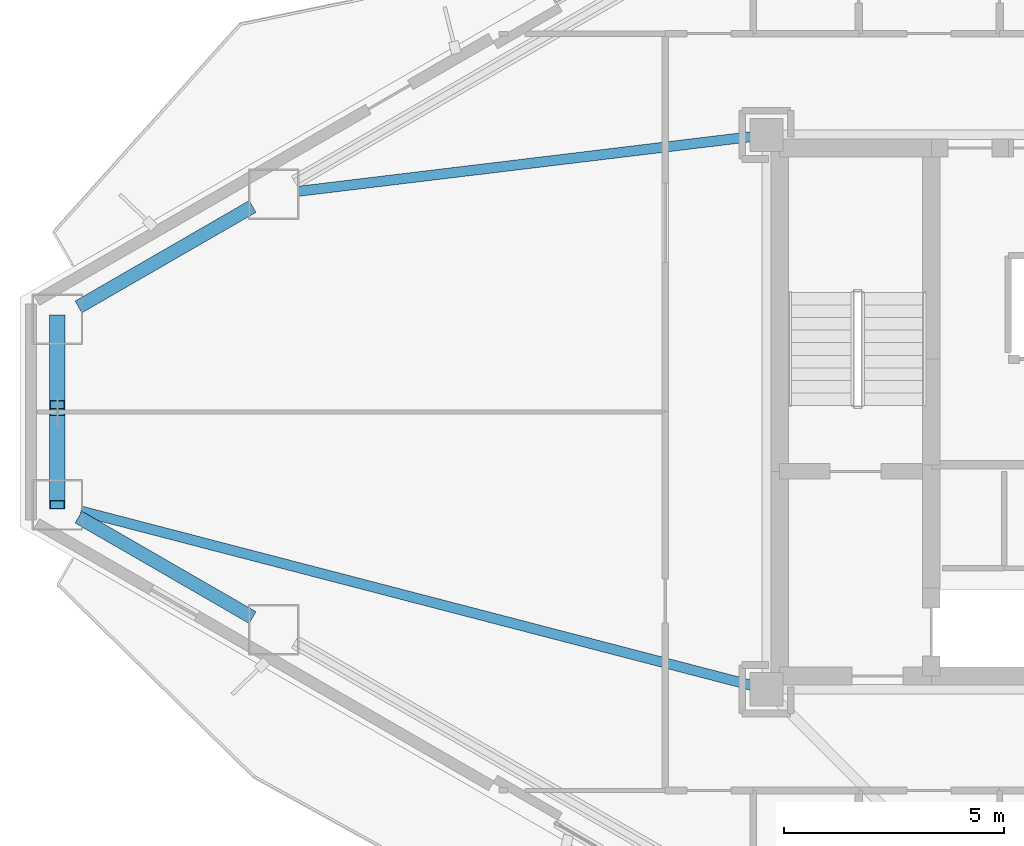
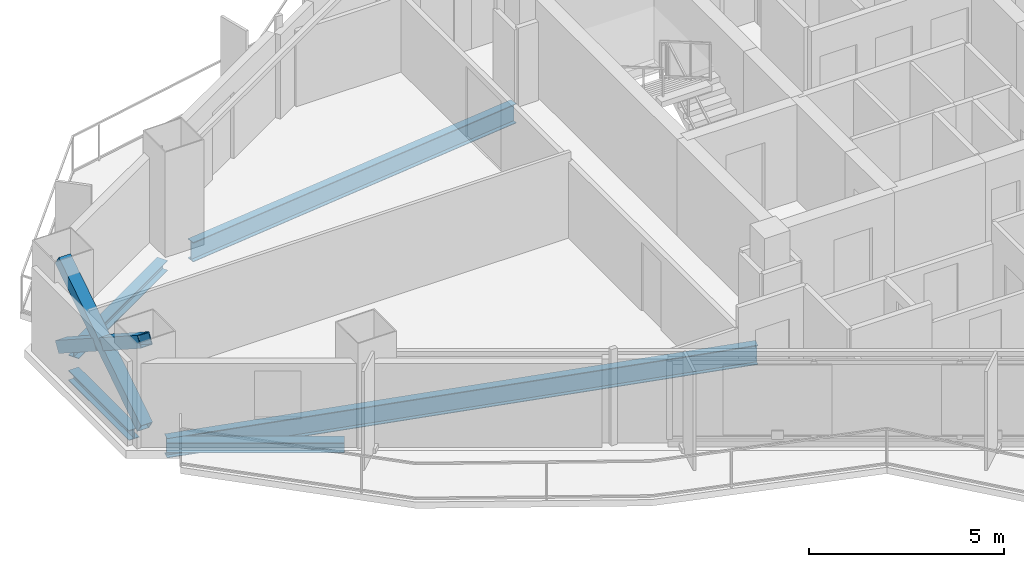
# One storey, part 5 of 22: 5 beams, 3 members.
"""IFC4 building model written with IfcOpenShell, lengths in metres."""

from ifc_helpers import new_model, si_unit, direction, frame, origin, origin_2d, place, context, subcontext, project, spatial, hollow_rectangle, i_section, extrude, material, material_profile, profile_set, type_object, element, save


model = new_model("IFC4")

# Units and contexts
model_context = context("Model", 3, precision=1e-05, world=origin(), true_north=direction((0.0, 1.0)))
body_context = subcontext(model_context, "Body", "Model", "MODEL_VIEW")
ifc_project = project(units=[si_unit("LENGTHUNIT", "METRE"), si_unit("AREAUNIT", "SQUARE_METRE"), si_unit("VOLUMEUNIT", "CUBIC_METRE"), si_unit("PLANEANGLEUNIT", "RADIAN"), si_unit("MASSUNIT", "GRAM", prefix="KILO")], contexts=[model_context])

# Site, building, storey
site_placement = place(None, origin())
site = spatial("IfcSite", under=ifc_project, at=site_placement, CompositionType="ELEMENT")
building_placement = place(site_placement, origin())
building = spatial("IfcBuilding", under=site, at=building_placement, Name="Mersakhor Tower and Convention Hall", CompositionType="ELEMENT")
storey_placement = place(building_placement, frame((0.0, 0.0, 113.10009765625)))
storey = spatial("IfcBuildingStorey", under=building, at=storey_placement, Name="L31", CompositionType="ELEMENT", Elevation=113.10009765625)

# Beams
ifc_material_1 = material(Name="Steel S355", Category="steel")
ifc_material_profile_1 = material_profile(ifc_material_1, i_section(OverallWidth=0.22900390625, OverallDepth=0.6123046875, WebThickness=0.011962890625, FlangeThickness=0.01953125, at=origin_2d()), Name="UB 610x229x125")
ifc_profile_set_1 = profile_set([ifc_material_profile_1], Name="Steel S355")
beam_type_1 = type_object("IfcBeamType", Name="BM-PR-610", PredefinedType="BEAM", material=ifc_profile_set_1)
beam_1_placement = place(storey_placement, frame((21.547607421875, 33.007568359375, -0.55615234375), z_axis=(-0.992798075666, -0.119799753563, 0.0), x_axis=(0.119799753563, -0.992798075666, 0.0)))
element("IfcBeam", 1, at=beam_1_placement, inside=storey, type_object=beam_type_1, Name="L31 Primary Floor Girder FG-1", PredefinedType="BEAM", context=body_context, shape_type="SweptSolid", body=[
    extrude(i_section(OverallWidth=0.22900390625, OverallDepth=0.6123046875, WebThickness=0.011962890625, FlangeThickness=0.01953125, at=origin_2d()), origin(), (0.0, 0.0, 1.0), 10.368896484375),
])
beam_2_placement = place(storey_placement, frame((21.556396484375, 20.539306640625, -0.55615234375), z_axis=(-0.967826964314, 0.251616706812, 0.0), x_axis=(-0.251616706812, -0.967826964314, 0.0)))
element("IfcBeam", 2, at=beam_2_placement, inside=storey, type_object=beam_type_1, Name="L31 Primary Floor Girder FG-6", PredefinedType="BEAM", context=body_context, shape_type="SweptSolid", body=[
    extrude(i_section(OverallWidth=0.22900390625, OverallDepth=0.6123046875, WebThickness=0.011962890625, FlangeThickness=0.01953125, at=origin_2d()), origin(), (0.0, 0.0, 1.0), 15.739013671875),
])
ifc_material_2 = material(Name="Steel S355", Category="steel")
ifc_material_profile_2 = material_profile(ifc_material_2, i_section(OverallWidth=0.30908203125, OverallDepth=0.320556640625, WebThickness=0.013916015625, FlangeThickness=0.021728515625, at=origin_2d()), Name="UC 305x305x137")
ifc_profile_set_2 = profile_set([ifc_material_profile_2], Name="Steel S355")
beam_type_2 = type_object("IfcBeamType", Name="BM-SPD-UC305", PredefinedType="SPANDREL", material=ifc_profile_set_2)
for number, where, z_axis, x_axis, name in (
    (3, (6.267333984375, 29.13818359375, -0.410400390625), (0.866023543838, 0.500003221507, 0.0), (-0.500003221507, 0.866023543838, 0.0), "L31 Perimeter Spandrel Beam SPB-01"),
    (4, (10.221923828125, 22.07861328125, -0.410400390625), (-0.866023543838, 0.500003221507, 0.0), (-0.500003221507, -0.866023543838, 0.0), "L31 Perimeter Spandrel Beam SPB-11"),
):
    element("IfcBeam", number, at=place(storey_placement, frame(where, z_axis=z_axis, x_axis=x_axis)), inside=storey, type_object=beam_type_2, Name=name, PredefinedType="SPANDREL", context=body_context, shape_type="SweptSolid", body=[
        extrude(i_section(OverallWidth=0.30908203125, OverallDepth=0.320556640625, WebThickness=0.013916015625, FlangeThickness=0.021728515625, at=origin_2d()), origin(), (0.0, 0.0, 1.0), 4.56640625),
    ])
beam_3_placement = place(storey_placement, frame((5.78662109375, 25.194091796875, -0.410400390625), z_axis=(0.0, 1.0, 0.0), x_axis=(-1.0, 0.0, 0.0)))
element("IfcBeam", 5, at=beam_3_placement, inside=storey, type_object=beam_type_2, Name="L31 Perimeter Spandrel Beam SPB-12", PredefinedType="SPANDREL", context=body_context, shape_type="SweptSolid", body=[
    extrude(i_section(OverallWidth=0.30908203125, OverallDepth=0.320556640625, WebThickness=0.013916015625, FlangeThickness=0.021728515625, at=origin_2d()), origin(), (0.0, 0.0, 1.0), 3.11181640625),
])

# Members
ifc_material_3 = material(Name="Steel S460", Category="steel")
ifc_material_profile_3 = material_profile(ifc_material_3, hollow_rectangle(XDim=0.35009765625, YDim=0.35009765625, WallThickness=0.02001953125, at=origin_2d()), Name="SHS 350x350x20")
ifc_profile_set_3 = profile_set([ifc_material_profile_3], Name="Steel S460")
member_type = type_object("IfcMemberType", Name="MB-BRC-SHS350", PredefinedType="BRACE", material=ifc_profile_set_3)
member_1_placement = place(storey_placement, frame((5.78662109375, 24.63916015625, 0.14990234375), z_axis=(0.0, 0.840631534308, 0.54160744412), x_axis=(-1.0, 0.0, 0.0)))
element("IfcMember", 6, at=member_1_placement, inside=storey, type_object=member_type, Name="L31 Chamfer Braced Frame Diagonal CB-3A", PredefinedType="BRACE", context=body_context, shape_type="SweptSolid", body=[
    extrude(hollow_rectangle(XDim=0.35009765625, YDim=0.35009765625, WallThickness=0.02001953125, at=origin_2d()), origin(), (0.0, 0.0, 1.0), 5.02197265625),
])
member_2_placement = place(storey_placement, frame((5.78662109375, 28.86083984375, 0.14990234375), z_axis=(0.0, -0.840611653809, 0.541638299495), x_axis=(1.0, 0.0, 0.0)))
element("IfcMember", 7, at=member_2_placement, inside=storey, type_object=member_type, Name="L31 Chamfer Braced Frame Diagonal CB-3B Lower Half", PredefinedType="BRACE", context=body_context, shape_type="SweptSolid", body=[
    extrude(hollow_rectangle(XDim=0.35009765625, YDim=0.35009765625, WallThickness=0.02001953125, at=origin_2d()), origin(), (0.0, 0.0, 1.0), 2.31103515625),
])
member_3_placement = place(storey_placement, frame((5.78662109375, 26.581787109375, 1.618408203125), z_axis=(0.0, -0.840659753883, 0.541563641876), x_axis=(1.0, 0.0, 0.0)))
element("IfcMember", 8, at=member_3_placement, inside=storey, type_object=member_type, Name="L31 Chamfer Braced Frame Diagonal CB-3B Upper Half", PredefinedType="BRACE", context=body_context, shape_type="SweptSolid", body=[
    extrude(hollow_rectangle(XDim=0.35009765625, YDim=0.35009765625, WallThickness=0.02001953125, at=origin_2d()), origin(), (0.0, 0.0, 1.0), 2.310791015625),
])

save(model, "model.ifc")
